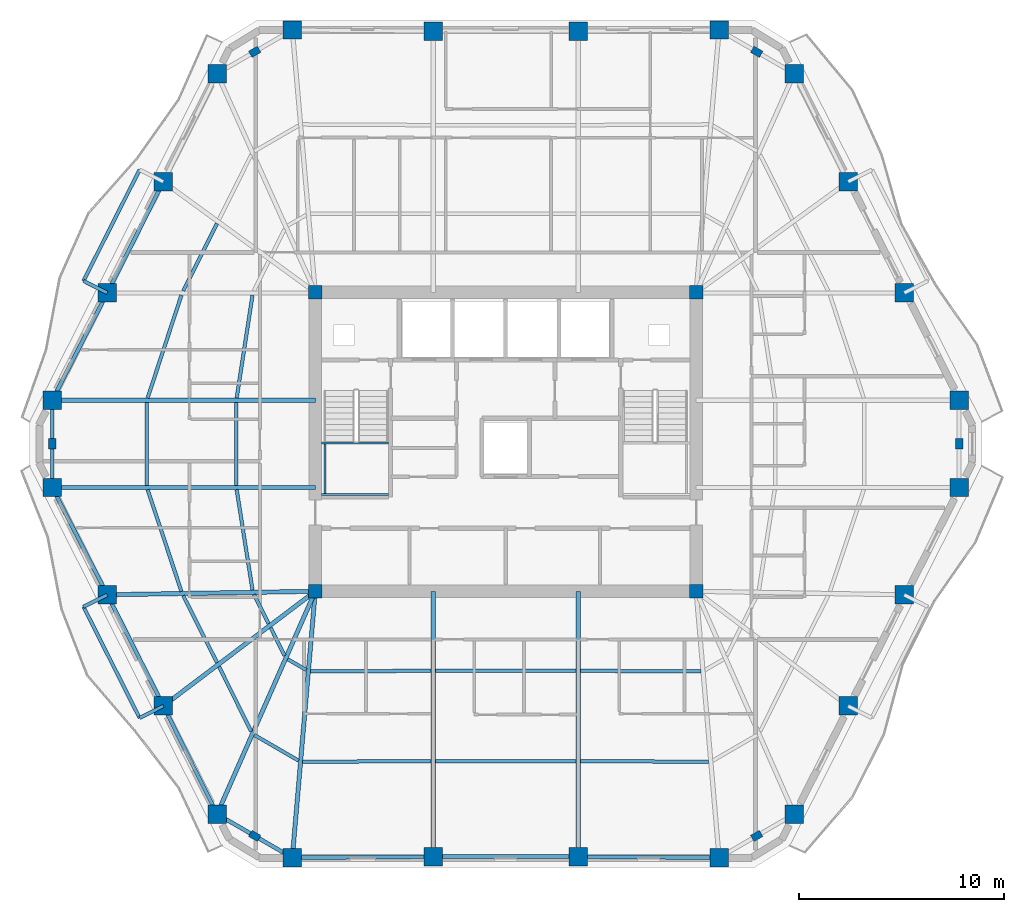
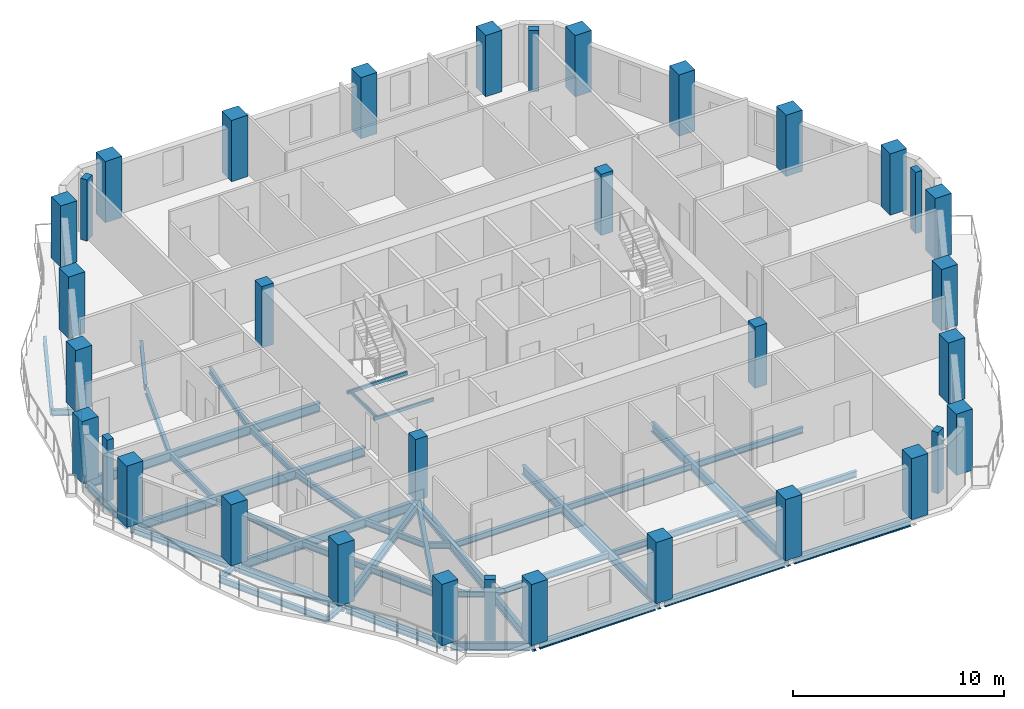
# One storey, part 1 of 12: 45 beams, 34 columns.
"""IFC4 building model written with IfcOpenShell, lengths in metres."""

from ifc_helpers import new_model, si_unit, direction, frame, origin, origin_2d, place, context, subcontext, project, spatial, rectangle, hollow_rectangle, i_section, extrude, material, material_profile, profile_set, type_object, element, save


model = new_model("IFC4")

# Units and contexts
model_context = context("Model", 3, precision=1e-05, world=origin(), true_north=direction((0.0, 1.0)))
body_context = subcontext(model_context, "Body", "Model", "MODEL_VIEW")
ifc_project = project(units=[si_unit("LENGTHUNIT", "METRE"), si_unit("AREAUNIT", "SQUARE_METRE"), si_unit("VOLUMEUNIT", "CUBIC_METRE"), si_unit("PLANEANGLEUNIT", "RADIAN"), si_unit("MASSUNIT", "GRAM", prefix="KILO")], contexts=[model_context])

# Site, building, storey
site_placement = place(None, origin())
site = spatial("IfcSite", under=ifc_project, at=site_placement, CompositionType="ELEMENT")
building_placement = place(site_placement, origin())
building = spatial("IfcBuilding", under=site, at=building_placement, Name="Cinnabar Lancet Tower", CompositionType="ELEMENT")
storey_placement = place(building_placement, frame((0.0, 0.0, 189.64990234375)))
storey = spatial("IfcBuildingStorey", under=building, at=storey_placement, Name="L50", CompositionType="ELEMENT", Elevation=189.64990234375)

# Columns
ifc_material_1 = material(Name="Concrete C60/75", Category="concrete")
ifc_material_profile_1 = material_profile(ifc_material_1, rectangle(XDim=0.64990234375, YDim=0.64990234375, at=origin_2d()), Name="RC-COL 650x650")
ifc_profile_set_1 = profile_set([ifc_material_profile_1], Name="Concrete C60/75")
column_type_1 = type_object("IfcColumnType", Name="STR-COL-CORE-650", PredefinedType="COLUMN", material=ifc_profile_set_1)
for number, where, z_axis, x_axis, name in (
    (1, (23.10009765625, 18.60009765625, 0.0), (0.0, 0.0, 1.0), (1.0, 0.0, 0.0), "L50 Core Corner Column SW"),
    (2, (41.699951171875, 18.60009765625, 0.0), (0.0, 0.0, 1.0), (1.0, 0.0, 0.0), "L50 Core Corner Column SE"),
    (3, (41.699951171875, 33.199951171875, 0.0), (0.0, 0.0, 1.0), (1.0, 0.0, 0.0), "L50 Core Corner Column NE"),
    (4, (23.10009765625, 33.199951171875, 0.0), (0.0, 0.0, 1.0), (1.0, 0.0, 0.0), "L50 Core Corner Column NW"),
):
    element("IfcColumn", number, at=place(storey_placement, frame(where, z_axis=z_axis, x_axis=x_axis)), inside=storey, type_object=column_type_1, Name=name, PredefinedType="COLUMN", context=body_context, shape_type="SweptSolid", body=[
        extrude(rectangle(XDim=0.64990234375, YDim=0.64990234375, at=origin_2d()), origin(), (0.0, 0.0, 1.0), 3.550048828125),
    ])
ifc_material_2 = material(Name="Concrete C60/75", Category="concrete")
ifc_material_profile_2 = material_profile(ifc_material_2, rectangle(XDim=0.5, YDim=0.35009765625, at=origin_2d()), Name="RC-PIL 500x350")
ifc_profile_set_2 = profile_set([ifc_material_profile_2], Name="Concrete C60/75")
column_type_2 = type_object("IfcColumnType", Name="STR-COL-PIL-500", PredefinedType="PILASTER", material=ifc_profile_set_2)
for number, where, z_axis, x_axis, name in (
    (5, (20.14208984375, 6.654052734375, 0.0), (0.0, 0.0, 1.0), (0.865230187018, -0.501374833306, 0.0), "L50 Chamfered Corner Pilaster 1"),
    (6, (44.657958984375, 6.654052734375, 0.0), (0.0, 0.0, 1.0), (0.865230187018, 0.501374833306, 0.0), "L50 Chamfered Corner Pilaster 2"),
    (7, (54.547119140625, 25.800048828125, 0.0), (0.0, 0.0, 1.0), (0.0, 1.0, 0.0), "L50 Chamfered Corner Pilaster 3"),
    (8, (44.657958984375, 44.947021484375, 0.0), (0.0, 0.0, 1.0), (-0.865230187018, 0.501374833306, 0.0), "L50 Chamfered Corner Pilaster 4"),
    (9, (20.14208984375, 44.947021484375, 0.0), (0.0, 0.0, 1.0), (-0.865230187018, -0.501374833306, 0.0), "L50 Chamfered Corner Pilaster 5"),
    (10, (10.2529296875, 25.800048828125, 0.0), (0.0, 0.0, 1.0), (0.0, -1.0, 0.0), "L50 Chamfered Corner Pilaster 6"),
):
    element("IfcColumn", number, at=place(storey_placement, frame(where, z_axis=z_axis, x_axis=x_axis)), inside=storey, type_object=column_type_2, Name=name, PredefinedType="PILASTER", context=body_context, shape_type="SweptSolid", body=[
        extrude(rectangle(XDim=0.5, YDim=0.35009765625, at=origin_2d()), origin(), (0.0, 0.0, 1.0), 3.550048828125),
    ])
ifc_material_3 = material(Name="Concrete C60/75", Category="concrete")
ifc_material_profile_3 = material_profile(ifc_material_3, rectangle(XDim=0.89990234375, YDim=0.89990234375, at=origin_2d()), Name="RC-COL 900x900")
ifc_profile_set_3 = profile_set([ifc_material_profile_3], Name="Concrete C60/75")
column_type_3 = type_object("IfcColumnType", Name="STR-COL-TUBE-900", PredefinedType="COLUMN", material=ifc_profile_set_3)
for number, where, z_axis, x_axis, name in (
    (11, (21.97900390625, 5.589111328125, 0.0), (0.0, 0.0, 1.0), (1.0, 0.0, 0.0), "L50 Perimeter Tube Column 1"),
    (12, (28.85693359375, 5.64208984375, 0.0), (0.0, 0.0, 1.0), (1.0, 0.0, 0.0), "L50 Perimeter Tube Column 2"),
    (13, (35.943115234375, 5.64208984375, 0.0), (0.0, 0.0, 1.0), (1.0, 0.0, 0.0), "L50 Perimeter Tube Column 3"),
    (14, (42.821044921875, 5.589111328125, 0.0), (0.0, 0.0, 1.0), (1.0, 0.0, 0.0), "L50 Perimeter Tube Column 4"),
    (15, (46.4951171875, 7.718017578125, 0.0), (0.0, 0.0, 1.0), (1.0, 0.0, 0.0), "L50 Perimeter Tube Column 5"),
    (16, (49.118896484375, 13.0009765625, 0.0), (0.0, 0.0, 1.0), (1.0, 0.0, 0.0), "L50 Perimeter Tube Column 6"),
    (17, (51.85791015625, 18.428955078125, 0.0), (0.0, 0.0, 1.0), (1.0, 0.0, 0.0), "L50 Perimeter Tube Column 7"),
    (18, (54.547119140625, 23.66796875, 0.0), (0.0, 0.0, 1.0), (1.0, 0.0, 0.0), "L50 Perimeter Tube Column 8"),
    (19, (54.547119140625, 27.931884765625, 0.0), (0.0, 0.0, 1.0), (1.0, 0.0, 0.0), "L50 Perimeter Tube Column 9"),
    (20, (51.85791015625, 33.1708984375, 0.0), (0.0, 0.0, 1.0), (1.0, 0.0, 0.0), "L50 Perimeter Tube Column 10"),
    (21, (49.118896484375, 38.59912109375, 0.0), (0.0, 0.0, 1.0), (1.0, 0.0, 0.0), "L50 Perimeter Tube Column 11"),
    (22, (46.4951171875, 43.882080078125, 0.0), (0.0, 0.0, 1.0), (1.0, 0.0, 0.0), "L50 Perimeter Tube Column 12"),
    (23, (42.821044921875, 46.010986328125, 0.0), (0.0, 0.0, 1.0), (1.0, 0.0, 0.0), "L50 Perimeter Tube Column 13"),
    (24, (35.943115234375, 45.9580078125, 0.0), (0.0, 0.0, 1.0), (1.0, 0.0, 0.0), "L50 Perimeter Tube Column 14"),
    (25, (28.85693359375, 45.9580078125, 0.0), (0.0, 0.0, 1.0), (1.0, 0.0, 0.0), "L50 Perimeter Tube Column 15"),
    (26, (21.97900390625, 46.010986328125, 0.0), (0.0, 0.0, 1.0), (1.0, 0.0, 0.0), "L50 Perimeter Tube Column 16"),
    (27, (18.304931640625, 43.882080078125, 0.0), (0.0, 0.0, 1.0), (1.0, 0.0, 0.0), "L50 Perimeter Tube Column 17"),
    (28, (15.680908203125, 38.59912109375, 0.0), (0.0, 0.0, 1.0), (1.0, 0.0, 0.0), "L50 Perimeter Tube Column 18"),
    (29, (12.94189453125, 33.1708984375, 0.0), (0.0, 0.0, 1.0), (1.0, 0.0, 0.0), "L50 Perimeter Tube Column 19"),
    (30, (10.2529296875, 27.931884765625, 0.0), (0.0, 0.0, 1.0), (1.0, 0.0, 0.0), "L50 Perimeter Tube Column 20"),
    (31, (10.2529296875, 23.66796875, 0.0), (0.0, 0.0, 1.0), (1.0, 0.0, 0.0), "L50 Perimeter Tube Column 21"),
    (32, (12.94189453125, 18.428955078125, 0.0), (0.0, 0.0, 1.0), (1.0, 0.0, 0.0), "L50 Perimeter Tube Column 22"),
    (33, (15.680908203125, 13.0009765625, 0.0), (0.0, 0.0, 1.0), (1.0, 0.0, 0.0), "L50 Perimeter Tube Column 23"),
    (34, (18.304931640625, 7.718017578125, 0.0), (0.0, 0.0, 1.0), (1.0, 0.0, 0.0), "L50 Perimeter Tube Column 24"),
):
    element("IfcColumn", number, at=place(storey_placement, frame(where, z_axis=z_axis, x_axis=x_axis)), inside=storey, type_object=column_type_3, Name=name, PredefinedType="COLUMN", context=body_context, shape_type="SweptSolid", body=[
        extrude(rectangle(XDim=0.89990234375, YDim=0.89990234375, at=origin_2d()), origin(), (0.0, 0.0, 1.0), 3.550048828125),
    ])

# Beams
ifc_material_4 = material(Name="Structural steel S355", Category="steel")
ifc_material_profile_4 = material_profile(ifc_material_4, i_section(OverallWidth=0.17138671875, OverallDepth=0.35498046875, WebThickness=0.00732421875, FlangeThickness=0.011474609375, FilletRadius=0.01025390625, at=origin_2d()), Name="UKB 356x171x51")
ifc_profile_set_4 = profile_set([ifc_material_profile_4], Name="Structural steel S355")
beam_type_1 = type_object("IfcBeamType", Name="STR-BM-JST-356", PredefinedType="JOIST", material=ifc_profile_set_4)
beam_1_placement = place(storey_placement, frame((14.9130859375, 23.56298828125, -0.3779296875), z_axis=(0.315346227037, -0.948976689436, 0.0), x_axis=(0.948976689436, 0.315346227037, 0.0)))
element("IfcBeam", 35, at=beam_1_placement, inside=storey, type_object=beam_type_1, Name="L50 Secondary Floor Joist 1", PredefinedType="JOIST", context=body_context, shape_type="SweptSolid", body=[
    extrude(i_section(OverallWidth=0.17138671875, OverallDepth=0.35498046875, WebThickness=0.00732421875, FlangeThickness=0.011474609375, FilletRadius=0.01025390625, at=origin_2d()), origin(), (0.0, 0.0, 1.0), 5.235107421875),
])
beam_2_placement = place(storey_placement, frame((19.261962890625, 23.56298828125, -0.3779296875), z_axis=(0.155702775827, -0.987803950994, 0.0), x_axis=(0.987803950994, 0.155702775827, 0.0)))
element("IfcBeam", 36, at=beam_2_placement, inside=storey, type_object=beam_type_1, Name="L50 Secondary Floor Joist 2", PredefinedType="JOIST", context=body_context, shape_type="SweptSolid", body=[
    extrude(i_section(OverallWidth=0.17138671875, OverallDepth=0.35498046875, WebThickness=0.00732421875, FlangeThickness=0.011474609375, FilletRadius=0.01025390625, at=origin_2d()), origin(), (0.0, 0.0, 1.0), 4.970458984375),
])
beam_3_placement = place(storey_placement, frame((16.65087890625, 18.386962890625, -0.3779296875), z_axis=(0.45061776862, -0.892716991327, 0.0), x_axis=(0.892716991327, 0.45061776862, 0.0)))
element("IfcBeam", 37, at=beam_3_placement, inside=storey, type_object=beam_type_1, Name="L50 Secondary Floor Joist 3", PredefinedType="JOIST", context=body_context, shape_type="SweptSolid", body=[
    extrude(i_section(OverallWidth=0.17138671875, OverallDepth=0.35498046875, WebThickness=0.00732421875, FlangeThickness=0.011474609375, FilletRadius=0.01025390625, at=origin_2d()), origin(), (0.0, 0.0, 1.0), 3.66845703125),
])
beam_4_placement = place(storey_placement, frame((20.10498046875, 18.445068359375, -0.3779296875), z_axis=(0.450137936259, -0.892959035085, 0.0), x_axis=(0.892959035085, 0.450137936259, 0.0)))
element("IfcBeam", 38, at=beam_4_placement, inside=storey, type_object=beam_type_1, Name="L50 Secondary Floor Joist 4", PredefinedType="JOIST", context=body_context, shape_type="SweptSolid", body=[
    extrude(i_section(OverallWidth=0.17138671875, OverallDepth=0.35498046875, WebThickness=0.00732421875, FlangeThickness=0.011474609375, FilletRadius=0.01025390625, at=origin_2d()), origin(), (0.0, 0.0, 1.0), 1.6015625),
])
beam_5_placement = place(storey_placement, frame((18.39892578125, 14.9208984375, -0.3779296875), z_axis=(0.445083338565, -0.895489152214, 0.0), x_axis=(0.895489152214, 0.445083338565, 0.0)))
element("IfcBeam", 39, at=beam_5_placement, inside=storey, type_object=beam_type_1, Name="L50 Secondary Floor Joist 5", PredefinedType="JOIST", context=body_context, shape_type="SweptSolid", body=[
    extrude(i_section(OverallWidth=0.17138671875, OverallDepth=0.35498046875, WebThickness=0.00732421875, FlangeThickness=0.011474609375, FilletRadius=0.01025390625, at=origin_2d()), origin(), (0.0, 0.0, 1.0), 3.531982421875),
])
beam_6_placement = place(storey_placement, frame((20.922119140625, 16.824951171875, -0.3779296875), z_axis=(0.444589856968, -0.895734256954, 0.0), x_axis=(0.895734256954, 0.444589856968, 0.0)))
element("IfcBeam", 40, at=beam_6_placement, inside=storey, type_object=beam_type_1, Name="L50 Secondary Floor Joist 6", PredefinedType="JOIST", context=body_context, shape_type="SweptSolid", body=[
    extrude(i_section(OverallWidth=0.17138671875, OverallDepth=0.35498046875, WebThickness=0.00732421875, FlangeThickness=0.011474609375, FilletRadius=0.01025390625, at=origin_2d()), origin(), (0.0, 0.0, 1.0), 1.527099609375),
])
beam_7_placement = place(storey_placement, frame((20.1220703125, 11.5830078125, -0.3779296875), z_axis=(0.865267839663, -0.501309849937, 0.0), x_axis=(0.501309849937, 0.865267839663, 0.0)))
element("IfcBeam", 41, at=beam_7_placement, inside=storey, type_object=beam_type_1, Name="L50 Secondary Floor Joist 7", PredefinedType="JOIST", context=body_context, shape_type="SweptSolid", body=[
    extrude(i_section(OverallWidth=0.17138671875, OverallDepth=0.35498046875, WebThickness=0.00732421875, FlangeThickness=0.011474609375, FilletRadius=0.01025390625, at=origin_2d()), origin(), (0.0, 0.0, 1.0), 2.497314453125),
])
beam_8_placement = place(storey_placement, frame((21.7529296875, 15.282958984375, -0.3779296875), z_axis=(0.8651881055, -0.501447446998, 0.0), x_axis=(0.501447446998, 0.8651881055, 0.0)))
element("IfcBeam", 42, at=beam_8_placement, inside=storey, type_object=beam_type_1, Name="L50 Secondary Floor Joist 8", PredefinedType="JOIST", context=body_context, shape_type="SweptSolid", body=[
    extrude(i_section(OverallWidth=0.17138671875, OverallDepth=0.35498046875, WebThickness=0.00732421875, FlangeThickness=0.011474609375, FilletRadius=0.01025390625, at=origin_2d()), origin(), (0.0, 0.0, 1.0), 1.05322265625),
])
beam_9_placement = place(storey_placement, frame((22.488037109375, 10.27392578125, -0.3779296875), z_axis=(0.999986965561, 0.005105752523, 0.0), x_axis=(-0.005105752523, 0.999986965561, 0.0)))
element("IfcBeam", 43, at=beam_9_placement, inside=storey, type_object=beam_type_1, Name="L50 Secondary Floor Joist 9", PredefinedType="JOIST", context=body_context, shape_type="SweptSolid", body=[
    extrude(i_section(OverallWidth=0.17138671875, OverallDepth=0.35498046875, WebThickness=0.00732421875, FlangeThickness=0.011474609375, FilletRadius=0.01025390625, at=origin_2d()), origin(), (0.0, 0.0, 1.0), 6.263916015625),
])
beam_10_placement = place(storey_placement, frame((22.868896484375, 14.697021484375, -0.3779296875), z_axis=(0.999996795933, 0.002531427338, 0.0), x_axis=(-0.002531427338, 0.999996795933, 0.0)))
element("IfcBeam", 44, at=beam_10_placement, inside=storey, type_object=beam_type_1, Name="L50 Secondary Floor Joist 10", PredefinedType="JOIST", context=body_context, shape_type="SweptSolid", body=[
    extrude(i_section(OverallWidth=0.17138671875, OverallDepth=0.35498046875, WebThickness=0.00732421875, FlangeThickness=0.011474609375, FilletRadius=0.01025390625, at=origin_2d()), origin(), (0.0, 0.0, 1.0), 5.883056640625),
])
for number, where, z_axis, x_axis, name in (
    (45, (28.9619140625, 10.306884765625, -0.3779296875), (1.0, 0.0, 0.0), (0.0, 1.0, 0.0), "L50 Secondary Floor Joist 11"),
    (46, (28.9619140625, 14.712890625, -0.3779296875), (1.0, 0.0, 0.0), (0.0, 1.0, 0.0), "L50 Secondary Floor Joist 12"),
):
    element("IfcBeam", number, at=place(storey_placement, frame(where, z_axis=z_axis, x_axis=x_axis)), inside=storey, type_object=beam_type_1, Name=name, PredefinedType="JOIST", context=body_context, shape_type="SweptSolid", body=[
        extrude(i_section(OverallWidth=0.17138671875, OverallDepth=0.35498046875, WebThickness=0.00732421875, FlangeThickness=0.011474609375, FilletRadius=0.01025390625, at=origin_2d()), origin(), (0.0, 0.0, 1.0), 6.8759765625),
    ])
beam_11_placement = place(storey_placement, frame((36.048095703125, 10.305908203125, -0.3779296875), z_axis=(0.999986965561, -0.005105752523, 0.0), x_axis=(0.005105752523, 0.999986965561, 0.0)))
element("IfcBeam", 47, at=beam_11_placement, inside=storey, type_object=beam_type_1, Name="L50 Secondary Floor Joist 13", PredefinedType="JOIST", context=body_context, shape_type="SweptSolid", body=[
    extrude(i_section(OverallWidth=0.17138671875, OverallDepth=0.35498046875, WebThickness=0.00732421875, FlangeThickness=0.011474609375, FilletRadius=0.01025390625, at=origin_2d()), origin(), (0.0, 0.0, 1.0), 6.263916015625),
])
beam_12_placement = place(storey_placement, frame((36.048095703125, 14.7119140625, -0.3779296875), z_axis=(0.999996795667, -0.002531532393, 0.0), x_axis=(0.002531532393, 0.999996795667, 0.0)))
element("IfcBeam", 48, at=beam_12_placement, inside=storey, type_object=beam_type_1, Name="L50 Secondary Floor Joist 14", PredefinedType="JOIST", context=body_context, shape_type="SweptSolid", body=[
    extrude(i_section(OverallWidth=0.17138671875, OverallDepth=0.35498046875, WebThickness=0.00732421875, FlangeThickness=0.011474609375, FilletRadius=0.01025390625, at=origin_2d()), origin(), (0.0, 0.0, 1.0), 5.8828125),
])
beam_13_placement = place(storey_placement, frame((18.303955078125, 36.56103515625, -0.3779296875), z_axis=(-0.449230875134, -0.893415704376, 0.0), x_axis=(0.893415704376, -0.449230875134, 0.0)))
element("IfcBeam", 49, at=beam_13_placement, inside=storey, type_object=beam_type_1, Name="L50 Secondary Floor Joist 43", PredefinedType="JOIST", context=body_context, shape_type="SweptSolid", body=[
    extrude(i_section(OverallWidth=0.17138671875, OverallDepth=0.35498046875, WebThickness=0.00732421875, FlangeThickness=0.011474609375, FilletRadius=0.01025390625, at=origin_2d()), origin(), (0.0, 0.0, 1.0), 3.677001953125),
])
beam_14_placement = place(storey_placement, frame((16.56494140625, 33.06591796875, -0.3779296875), z_axis=(-0.312240109925, -0.95000321776, 0.0), x_axis=(0.95000321776, -0.312240109925, 0.0)))
element("IfcBeam", 50, at=beam_14_placement, inside=storey, type_object=beam_type_1, Name="L50 Secondary Floor Joist 45", PredefinedType="JOIST", context=body_context, shape_type="SweptSolid", body=[
    extrude(i_section(OverallWidth=0.17138671875, OverallDepth=0.35498046875, WebThickness=0.00732421875, FlangeThickness=0.011474609375, FilletRadius=0.01025390625, at=origin_2d()), origin(), (0.0, 0.0, 1.0), 5.29345703125),
])
beam_15_placement = place(storey_placement, frame((20.035888671875, 33.06591796875, -0.3779296875), z_axis=(-0.152107663797, -0.988363930248, 0.0), x_axis=(0.988363930248, -0.152107663797, 0.0)))
element("IfcBeam", 51, at=beam_15_placement, inside=storey, type_object=beam_type_1, Name="L50 Secondary Floor Joist 46", PredefinedType="JOIST", context=body_context, shape_type="SweptSolid", body=[
    extrude(i_section(OverallWidth=0.17138671875, OverallDepth=0.35498046875, WebThickness=0.00732421875, FlangeThickness=0.011474609375, FilletRadius=0.01025390625, at=origin_2d()), origin(), (0.0, 0.0, 1.0), 5.088134765625),
])
for number, where, z_axis, x_axis, name in (
    (52, (14.8779296875, 27.826904296875, -0.3779296875), (0.0, -1.0, 0.0), (1.0, 0.0, 0.0), "L50 Secondary Floor Joist 47"),
    (53, (19.24609375, 27.826904296875, -0.3779296875), (0.0, -1.0, 0.0), (1.0, 0.0, 0.0), "L50 Secondary Floor Joist 48"),
):
    element("IfcBeam", number, at=place(storey_placement, frame(where, z_axis=z_axis, x_axis=x_axis)), inside=storey, type_object=beam_type_1, Name=name, PredefinedType="JOIST", context=body_context, shape_type="SweptSolid", body=[
        extrude(i_section(OverallWidth=0.17138671875, OverallDepth=0.35498046875, WebThickness=0.00732421875, FlangeThickness=0.011474609375, FilletRadius=0.01025390625, at=origin_2d()), origin(), (0.0, 0.0, 1.0), 4.053955078125),
    ])
ifc_material_5 = material(Name="Structural steel S355", Category="steel")
ifc_material_profile_5 = material_profile(ifc_material_5, hollow_rectangle(XDim=0.10009765625, YDim=0.199951171875, WallThickness=0.008056640625, InnerFilletRadius=0.00390625, OuterFilletRadius=0.011962890625, at=origin_2d()), Name="RHS 200x100x8")
ifc_profile_set_5 = profile_set([ifc_material_profile_5], Name="Structural steel S355")
beam_type_2 = type_object("IfcBeamType", Name="STR-BM-LND-203", PredefinedType="BEAM", material=ifc_profile_set_5)
for number, where, z_axis, x_axis, name in (
    (54, (23.39990234375, 23.330078125, 1.47509765625), (1.0, 0.0, 0.0), (0.0, 1.0, 0.0), "L50 ST-1-L50 Landing Support Beam S"),
    (55, (23.39990234375, 25.844970703125, 1.47509765625), (1.0, 0.0, 0.0), (0.0, 1.0, 0.0), "L50 ST-1-L50 Landing Support Beam N"),
):
    element("IfcBeam", number, at=place(storey_placement, frame(where, z_axis=z_axis, x_axis=x_axis)), inside=storey, type_object=beam_type_2, Name=name, PredefinedType="BEAM", context=body_context, shape_type="SweptSolid", body=[
        extrude(hollow_rectangle(XDim=0.10009765625, YDim=0.199951171875, WallThickness=0.008056640625, InnerFilletRadius=0.00390625, OuterFilletRadius=0.011962890625, at=origin_2d()), origin(), (0.0, 0.0, 1.0), 3.280029296875),
    ])
beam_16_placement = place(storey_placement, frame((23.580078125, 23.3798828125, 1.47509765625), z_axis=(0.0, 1.0, 0.0), x_axis=(-1.0, 0.0, 0.0)))
element("IfcBeam", 56, at=beam_16_placement, inside=storey, type_object=beam_type_2, Name="L50 ST-1-L50 Landing Side Trimmer Beam", PredefinedType="BEAM", context=body_context, shape_type="SweptSolid", body=[
    extrude(hollow_rectangle(XDim=0.10009765625, YDim=0.199951171875, WallThickness=0.008056640625, InnerFilletRadius=0.00390625, OuterFilletRadius=0.011962890625, at=origin_2d()), origin(), (0.0, 0.0, 1.0), 2.4150390625),
])
ifc_material_6 = material(Name="Structural steel S355", Category="steel")
ifc_material_profile_6 = material_profile(ifc_material_6, i_section(OverallWidth=0.1904296875, OverallDepth=0.45703125, WebThickness=0.009033203125, FlangeThickness=0.014404296875, FilletRadius=0.01025390625, at=origin_2d()), Name="UKB 457x191x74")
ifc_profile_set_6 = profile_set([ifc_material_profile_6], Name="Structural steel S355")
beam_type_3 = type_object("IfcBeamType", Name="STR-BM-SPN-457", PredefinedType="SPANDREL", material=ifc_profile_set_6)
beam_17_placement = place(storey_placement, frame((22.22900390625, 5.591064453125, -0.428955078125), z_axis=(0.999970695686, 0.007655571089, 0.0), x_axis=(-0.007655571089, 0.999970695686, 0.0)))
element("IfcBeam", 57, at=beam_17_placement, inside=storey, type_object=beam_type_3, Name="L50 Perimeter Spandrel 1", PredefinedType="SPANDREL", context=body_context, shape_type="SweptSolid", body=[
    extrude(i_section(OverallWidth=0.1904296875, OverallDepth=0.45703125, WebThickness=0.009033203125, FlangeThickness=0.014404296875, FilletRadius=0.01025390625, at=origin_2d()), origin(), (0.0, 0.0, 1.0), 6.378173828125),
])
beam_18_placement = place(storey_placement, frame((29.10693359375, 5.64208984375, -0.428955078125), z_axis=(1.0, 0.0, 0.0), x_axis=(0.0, 1.0, 0.0)))
element("IfcBeam", 58, at=beam_18_placement, inside=storey, type_object=beam_type_3, Name="L50 Perimeter Spandrel 2", PredefinedType="SPANDREL", context=body_context, shape_type="SweptSolid", body=[
    extrude(i_section(OverallWidth=0.1904296875, OverallDepth=0.45703125, WebThickness=0.009033203125, FlangeThickness=0.014404296875, FilletRadius=0.01025390625, at=origin_2d()), origin(), (0.0, 0.0, 1.0), 6.586181640625),
])
beam_19_placement = place(storey_placement, frame((36.193115234375, 5.639892578125, -0.428955078125), z_axis=(0.999970695686, -0.007655571089, 0.0), x_axis=(0.007655571089, 0.999970695686, 0.0)))
element("IfcBeam", 59, at=beam_19_placement, inside=storey, type_object=beam_type_3, Name="L50 Perimeter Spandrel 3", PredefinedType="SPANDREL", context=body_context, shape_type="SweptSolid", body=[
    extrude(i_section(OverallWidth=0.1904296875, OverallDepth=0.45703125, WebThickness=0.009033203125, FlangeThickness=0.014404296875, FilletRadius=0.01025390625, at=origin_2d()), origin(), (0.0, 0.0, 1.0), 6.378173828125),
])
beam_20_placement = place(storey_placement, frame((15.568115234375, 38.3759765625, -0.428955078125), z_axis=(-0.450395996562, -0.892828900899, 0.0), x_axis=(0.892828900899, -0.450395996562, 0.0)))
element("IfcBeam", 60, at=beam_20_placement, inside=storey, type_object=beam_type_3, Name="L50 Perimeter Spandrel 18", PredefinedType="SPANDREL", context=body_context, shape_type="SweptSolid", body=[
    extrude(i_section(OverallWidth=0.1904296875, OverallDepth=0.45703125, WebThickness=0.009033203125, FlangeThickness=0.014404296875, FilletRadius=0.01025390625, at=origin_2d()), origin(), (0.0, 0.0, 1.0), 5.579833984375),
])
beam_21_placement = place(storey_placement, frame((12.827880859375, 32.948974609375, -0.428955078125), z_axis=(-0.456610910924, -0.889666497079, 0.0), x_axis=(0.889666497079, -0.456610910924, 0.0)))
element("IfcBeam", 61, at=beam_21_placement, inside=storey, type_object=beam_type_3, Name="L50 Perimeter Spandrel 19", PredefinedType="SPANDREL", context=body_context, shape_type="SweptSolid", body=[
    extrude(i_section(OverallWidth=0.1904296875, OverallDepth=0.45703125, WebThickness=0.009033203125, FlangeThickness=0.014404296875, FilletRadius=0.01025390625, at=origin_2d()), origin(), (0.0, 0.0, 1.0), 5.3896484375),
])
beam_22_placement = place(storey_placement, frame((10.2529296875, 27.681884765625, -0.428955078125), z_axis=(0.0, -1.0, 0.0), x_axis=(1.0, 0.0, 0.0)))
element("IfcBeam", 62, at=beam_22_placement, inside=storey, type_object=beam_type_3, Name="L50 Perimeter Spandrel 20", PredefinedType="SPANDREL", context=body_context, shape_type="SweptSolid", body=[
    extrude(i_section(OverallWidth=0.1904296875, OverallDepth=0.45703125, WebThickness=0.009033203125, FlangeThickness=0.014404296875, FilletRadius=0.01025390625, at=origin_2d()), origin(), (0.0, 0.0, 1.0), 3.763916015625),
])
beam_23_placement = place(storey_placement, frame((10.366943359375, 23.446044921875, -0.428955078125), z_axis=(0.456592509812, -0.889675940994, 0.0), x_axis=(0.889675940994, 0.456592509812, 0.0)))
element("IfcBeam", 63, at=beam_23_placement, inside=storey, type_object=beam_type_3, Name="L50 Perimeter Spandrel 21", PredefinedType="SPANDREL", context=body_context, shape_type="SweptSolid", body=[
    extrude(i_section(OverallWidth=0.1904296875, OverallDepth=0.45703125, WebThickness=0.009033203125, FlangeThickness=0.014404296875, FilletRadius=0.01025390625, at=origin_2d()), origin(), (0.0, 0.0, 1.0), 5.389892578125),
])
beam_24_placement = place(storey_placement, frame((13.054931640625, 18.2060546875, -0.428955078125), z_axis=(0.450395996562, -0.892828900899, 0.0), x_axis=(0.892828900899, 0.450395996562, 0.0)))
element("IfcBeam", 64, at=beam_24_placement, inside=storey, type_object=beam_type_3, Name="L50 Perimeter Spandrel 22", PredefinedType="SPANDREL", context=body_context, shape_type="SweptSolid", body=[
    extrude(i_section(OverallWidth=0.1904296875, OverallDepth=0.45703125, WebThickness=0.009033203125, FlangeThickness=0.014404296875, FilletRadius=0.01025390625, at=origin_2d()), origin(), (0.0, 0.0, 1.0), 5.579833984375),
])
beam_25_placement = place(storey_placement, frame((15.7919921875, 12.777099609375, -0.428955078125), z_axis=(0.444914968367, -0.895572817208, 0.0), x_axis=(0.895572817208, 0.444914968367, 0.0)))
element("IfcBeam", 65, at=beam_25_placement, inside=storey, type_object=beam_type_3, Name="L50 Perimeter Spandrel 23", PredefinedType="SPANDREL", context=body_context, shape_type="SweptSolid", body=[
    extrude(i_section(OverallWidth=0.1904296875, OverallDepth=0.45703125, WebThickness=0.009033203125, FlangeThickness=0.014404296875, FilletRadius=0.01025390625, at=origin_2d()), origin(), (0.0, 0.0, 1.0), 5.39892578125),
])
beam_26_placement = place(storey_placement, frame((18.52099609375, 7.593017578125, -0.428955078125), z_axis=(0.865195717586, -0.501434313016, 0.0), x_axis=(0.501434313016, 0.865195717586, 0.0)))
element("IfcBeam", 66, at=beam_26_placement, inside=storey, type_object=beam_type_3, Name="L50 Perimeter Spandrel 24", PredefinedType="SPANDREL", context=body_context, shape_type="SweptSolid", body=[
    extrude(i_section(OverallWidth=0.1904296875, OverallDepth=0.45703125, WebThickness=0.009033203125, FlangeThickness=0.014404296875, FilletRadius=0.01025390625, at=origin_2d()), origin(), (0.0, 0.0, 1.0), 3.7470703125),
])
ifc_material_7 = material(Name="Structural steel S355", Category="steel")
ifc_material_profile_7 = material_profile(ifc_material_7, i_section(OverallWidth=0.209228515625, OverallDepth=0.533203125, WebThickness=0.010009765625, FlangeThickness=0.015625, FilletRadius=0.0126953125, at=origin_2d()), Name="UKB 533x210x92")
ifc_profile_set_7 = profile_set([ifc_material_profile_7], Name="Structural steel S355")
beam_type_4 = type_object("IfcBeamType", Name="STR-BM-UKB533-92", PredefinedType="BEAM", material=ifc_profile_set_7)
beam_27_placement = place(storey_placement, frame((15.680908203125, 13.0009765625, -0.466796875), z_axis=(0.798202971293, 0.602388592703, 0.0), x_axis=(-0.602388592703, 0.798202971293, 0.0)))
element("IfcBeam", 67, at=beam_27_placement, inside=storey, type_object=beam_type_4, Name="L50 Corner Collector Girder 1", PredefinedType="BEAM", context=body_context, shape_type="SweptSolid", body=[
    extrude(i_section(OverallWidth=0.209228515625, OverallDepth=0.533203125, WebThickness=0.010009765625, FlangeThickness=0.015625, FilletRadius=0.0126953125, at=origin_2d()), origin(), (0.0, 0.0, 1.0), 9.294921875),
])
beam_28_placement = place(storey_placement, frame((21.97900390625, 5.589111328125, -0.466796875), z_axis=(0.085847068729, 0.996308326167, 0.0), x_axis=(-0.996308326167, 0.085847068729, 0.0)))
element("IfcBeam", 68, at=beam_28_placement, inside=storey, type_object=beam_type_4, Name="L50 Primary Floor Girder 1", PredefinedType="BEAM", context=body_context, shape_type="SweptSolid", body=[
    extrude(i_section(OverallWidth=0.209228515625, OverallDepth=0.533203125, WebThickness=0.010009765625, FlangeThickness=0.015625, FilletRadius=0.0126953125, at=origin_2d()), origin(), (0.0, 0.0, 1.0), 13.05908203125),
])
for number, where, z_axis, x_axis, name in (
    (69, (28.85693359375, 5.64208984375, -0.466796875), (0.0, 1.0, 0.0), (-1.0, 0.0, 0.0), "L50 Primary Floor Girder 2"),
    (70, (35.943115234375, 5.64208984375, -0.466796875), (0.0, 1.0, 0.0), (-1.0, 0.0, 0.0), "L50 Primary Floor Girder 3"),
):
    element("IfcBeam", number, at=place(storey_placement, frame(where, z_axis=z_axis, x_axis=x_axis)), inside=storey, type_object=beam_type_4, Name=name, PredefinedType="BEAM", context=body_context, shape_type="SweptSolid", body=[
        extrude(i_section(OverallWidth=0.209228515625, OverallDepth=0.533203125, WebThickness=0.010009765625, FlangeThickness=0.015625, FilletRadius=0.0126953125, at=origin_2d()), origin(), (0.0, 0.0, 1.0), 12.9580078125),
    ])
for number, where, z_axis, x_axis, name in (
    (71, (10.2529296875, 27.931884765625, -0.466796875), (1.0, 0.0, 0.0), (0.0, 1.0, 0.0), "L50 Primary Floor Girder 20"),
    (72, (10.2529296875, 23.66796875, -0.466796875), (1.0, 0.0, 0.0), (0.0, 1.0, 0.0), "L50 Primary Floor Girder 21"),
):
    element("IfcBeam", number, at=place(storey_placement, frame(where, z_axis=z_axis, x_axis=x_axis)), inside=storey, type_object=beam_type_4, Name=name, PredefinedType="BEAM", context=body_context, shape_type="SweptSolid", body=[
        extrude(i_section(OverallWidth=0.209228515625, OverallDepth=0.533203125, WebThickness=0.010009765625, FlangeThickness=0.015625, FilletRadius=0.0126953125, at=origin_2d()), origin(), (0.0, 0.0, 1.0), 12.84716796875),
    ])
beam_29_placement = place(storey_placement, frame((12.94189453125, 18.428955078125, -0.466796875), z_axis=(0.999858107345, 0.016845331024, 0.0), x_axis=(-0.016845331024, 0.999858107345, 0.0)))
element("IfcBeam", 73, at=beam_29_placement, inside=storey, type_object=beam_type_4, Name="L50 Primary Floor Girder 22", PredefinedType="BEAM", context=body_context, shape_type="SweptSolid", body=[
    extrude(i_section(OverallWidth=0.209228515625, OverallDepth=0.533203125, WebThickness=0.010009765625, FlangeThickness=0.015625, FilletRadius=0.0126953125, at=origin_2d()), origin(), (0.0, 0.0, 1.0), 10.15966796875),
])
beam_30_placement = place(storey_placement, frame((18.304931640625, 7.718017578125, -0.466796875), z_axis=(0.403235299754, 0.915096329919, 0.0), x_axis=(-0.915096329919, 0.403235299754, 0.0)))
element("IfcBeam", 74, at=beam_30_placement, inside=storey, type_object=beam_type_4, Name="L50 Primary Floor Girder 24", PredefinedType="BEAM", context=body_context, shape_type="SweptSolid", body=[
    extrude(i_section(OverallWidth=0.209228515625, OverallDepth=0.533203125, WebThickness=0.010009765625, FlangeThickness=0.015625, FilletRadius=0.0126953125, at=origin_2d()), origin(), (0.0, 0.0, 1.0), 11.891845703125),
])
ifc_material_8 = material(Name="Structural steel S355", Category="steel")
ifc_material_profile_8 = material_profile(ifc_material_8, i_section(OverallWidth=0.17138671875, OverallDepth=0.35498046875, WebThickness=0.00732421875, FlangeThickness=0.011474609375, FilletRadius=0.01025390625, at=origin_2d()), Name="UKB 356x171x51")
ifc_profile_set_8 = profile_set([ifc_material_profile_8], Name="Structural steel S355")
beam_type_5 = type_object("IfcBeamType", Name="STR-BM-WAV-OUT", PredefinedType="BEAM", material=ifc_profile_set_8)
for number, where, z_axis, x_axis, name in (
    (75, (12.94189453125, 33.1708984375, -0.39794921875), (-0.892200264127, 0.451639998995, 0.0), (-0.451639998995, -0.892200264127, 0.0), "L50 Face 5 Balcony Outlooker B"),
    (76, (12.94189453125, 18.428955078125, -0.39794921875), (-0.89227592947, -0.451490493464, 0.0), (0.451490493464, -0.89227592947, 0.0), "L50 Face 6 Balcony Outlooker A"),
    (77, (15.680908203125, 13.0009765625, -0.39794921875), (-0.89227592947, -0.451490493464, 0.0), (0.451490493464, -0.89227592947, 0.0), "L50 Face 6 Balcony Outlooker B"),
):
    element("IfcBeam", number, at=place(storey_placement, frame(where, z_axis=z_axis, x_axis=x_axis)), inside=storey, type_object=beam_type_5, Name=name, PredefinedType="BEAM", context=body_context, shape_type="SweptSolid", body=[
        extrude(i_section(OverallWidth=0.17138671875, OverallDepth=0.35498046875, WebThickness=0.00732421875, FlangeThickness=0.011474609375, FilletRadius=0.01025390625, at=origin_2d()), origin(), (0.0, 0.0, 1.0), 1.300048828125),
    ])
ifc_material_9 = material(Name="Structural steel S355", Category="steel")
ifc_material_profile_9 = material_profile(ifc_material_9, i_section(OverallWidth=0.17138671875, OverallDepth=0.35498046875, WebThickness=0.00732421875, FlangeThickness=0.011474609375, FilletRadius=0.01025390625, at=origin_2d()), Name="UKB 356x171x51")
ifc_profile_set_9 = profile_set([ifc_material_profile_9], Name="Structural steel S355")
beam_type_6 = type_object("IfcBeamType", Name="STR-BM-WAV-TRIM", PredefinedType="SPANDREL", material=ifc_profile_set_9)
for number, where, z_axis, x_axis, name in (
    (78, (14.52099609375, 39.18603515625, -0.39794921875), (-0.450503306898, -0.892774759093, 0.0), (0.892774759093, -0.450503306898, 0.0), "L50 Face 5 Balcony Edge Trimmer"),
    (79, (11.781982421875, 17.842041015625, -0.39794921875), (0.450503306898, -0.892774759093, 0.0), (0.892774759093, 0.450503306898, 0.0), "L50 Face 6 Balcony Edge Trimmer"),
):
    element("IfcBeam", number, at=place(storey_placement, frame(where, z_axis=z_axis, x_axis=x_axis)), inside=storey, type_object=beam_type_6, Name=name, PredefinedType="SPANDREL", context=body_context, shape_type="SweptSolid", body=[
        extrude(i_section(OverallWidth=0.17138671875, OverallDepth=0.35498046875, WebThickness=0.00732421875, FlangeThickness=0.011474609375, FilletRadius=0.01025390625, at=origin_2d()), origin(), (0.0, 0.0, 1.0), 6.079833984375),
    ])

save(model, "model.ifc")
